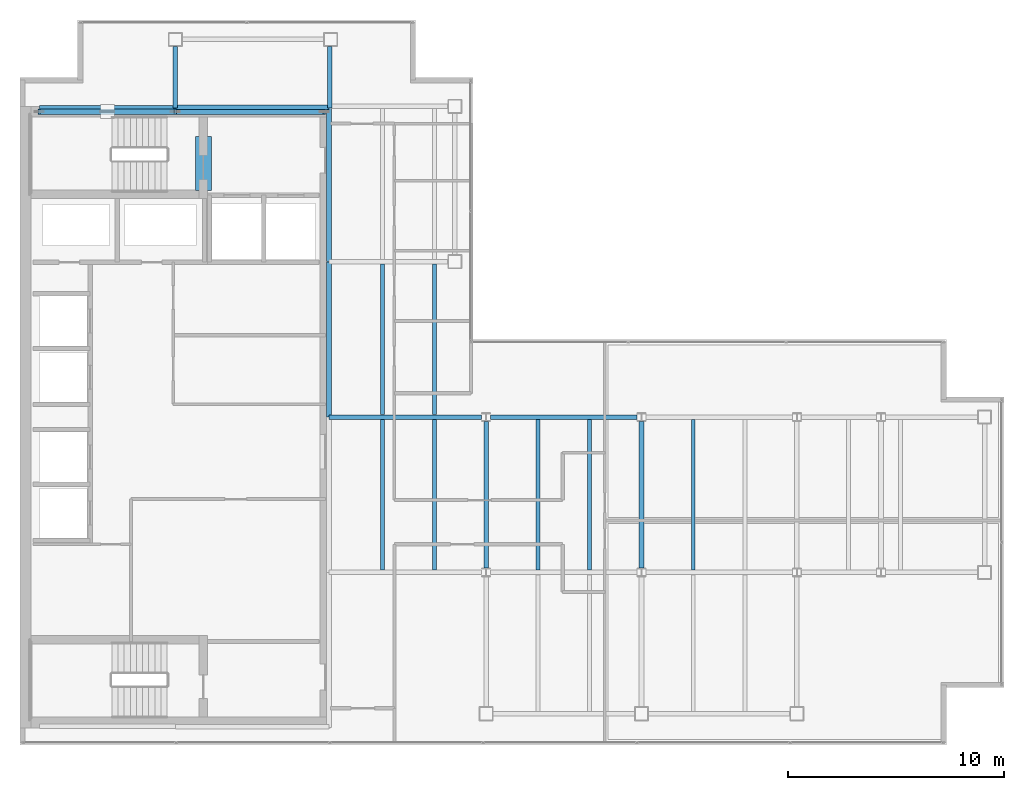
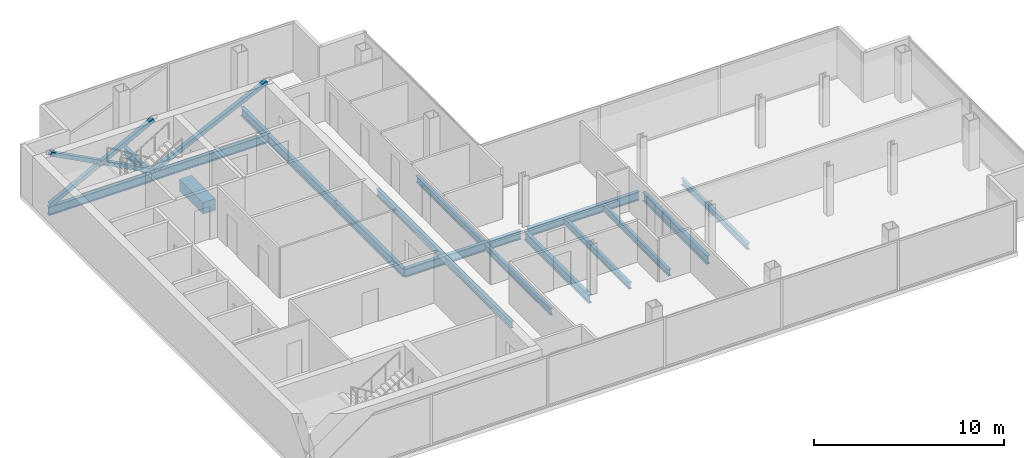
# One storey, part 7 of 23: 18 beams, 4 members.
"""IFC4 building model written with IfcOpenShell, lengths in metres."""

from ifc_helpers import new_model, si_unit, direction, frame, origin, origin_2d, place, context, subcontext, project, spatial, rectangle, hollow_rectangle, i_section, extrude, material, material_profile, profile_set, type_object, element, save


model = new_model("IFC4")

# Units and contexts
model_context = context("Model", 3, precision=1e-05, world=origin(), true_north=direction((0.0, 1.0)))
body_context = subcontext(model_context, "Body", "Model", "MODEL_VIEW")
ifc_project = project(units=[si_unit("LENGTHUNIT", "METRE"), si_unit("AREAUNIT", "SQUARE_METRE"), si_unit("VOLUMEUNIT", "CUBIC_METRE"), si_unit("PLANEANGLEUNIT", "RADIAN"), si_unit("MASSUNIT", "GRAM", prefix="KILO")], contexts=[model_context])

# Site, building, storey
site_placement = place(None, origin())
site = spatial("IfcSite", under=ifc_project, at=site_placement, CompositionType="ELEMENT")
building_placement = place(site_placement, origin())
building = spatial("IfcBuilding", under=site, at=building_placement, Name="Cobrela Telecom Tower", CompositionType="ELEMENT")
storey_placement = place(building_placement, frame((0.0, 0.0, 279.64990234375)))
storey = spatial("IfcBuildingStorey", under=building, at=storey_placement, Name="L73", CompositionType="ELEMENT", Elevation=279.64990234375)

# Beams
ifc_material_1 = material(Name="Concrete C40/50", Category="concrete")
ifc_material_profile_1 = material_profile(ifc_material_1, rectangle(XDim=0.75, YDim=0.75, at=origin_2d()), Name="RC 750x750")
ifc_profile_set_1 = profile_set([ifc_material_profile_1], Name="Concrete C40/50")
beam_type_1 = type_object("IfcBeamType", Name="BM-COUP-RC", PredefinedType="LINTEL", material=ifc_profile_set_1)
beam_1_placement = place(storey_placement, frame((8.5, 32.10009765625, -0.60986328125), z_axis=(0.0, 1.0, 0.0), x_axis=(-1.0, 0.0, 0.0)))
element("IfcBeam", 1, at=beam_1_placement, inside=storey, type_object=beam_type_1, Name="L73 Core Coupling Lintel Beam", PredefinedType="LINTEL", context=body_context, shape_type="SweptSolid", body=[
    extrude(rectangle(XDim=0.75, YDim=0.75, at=origin_2d()), origin(), (0.0, 0.0, 1.0), 2.5),
])
ifc_material_2 = material(Name="Steel ASTM A992 Grade 50", Category="steel")
ifc_material_profile_2 = material_profile(ifc_material_2, i_section(OverallWidth=0.212890625, OverallDepth=0.549072265625, WebThickness=0.0146484375, FlangeThickness=0.023681640625, FilletRadius=0.013916015625, at=origin_2d()), Name="W21X93")
ifc_profile_set_2 = profile_set([ifc_material_profile_2], Name="Steel ASTM A992 Grade 50")
beam_type_2 = type_object("IfcBeamType", Name="BM-GIRD-08", PredefinedType="USERDEFINED", material=ifc_profile_set_2)
beam_2_placement = place(storey_placement, frame((14.324951171875, 21.60009765625, -0.534423828125), z_axis=(1.0, 0.0, 0.0), x_axis=(0.0, 1.0, 0.0)))
element("IfcBeam", 2, at=beam_2_placement, inside=storey, type_object=beam_type_2, Name="L73 Primary Girder X10", ObjectType="GIRDER", PredefinedType="USERDEFINED", context=body_context, shape_type="SweptSolid", body=[
    extrude(i_section(OverallWidth=0.212890625, OverallDepth=0.549072265625, WebThickness=0.0146484375, FlangeThickness=0.023681640625, FilletRadius=0.013916015625, at=origin_2d()), origin(), (0.0, 0.0, 1.0), 7.070556640625),
])
beam_3_placement = place(storey_placement, frame((21.804443359375, 21.60009765625, -0.534423828125), z_axis=(1.0, 0.0, 0.0), x_axis=(0.0, 1.0, 0.0)))
element("IfcBeam", 3, at=beam_3_placement, inside=storey, type_object=beam_type_2, Name="L73 Primary Girder X11", ObjectType="GIRDER", PredefinedType="USERDEFINED", context=body_context, shape_type="SweptSolid", body=[
    extrude(i_section(OverallWidth=0.212890625, OverallDepth=0.549072265625, WebThickness=0.0146484375, FlangeThickness=0.023681640625, FilletRadius=0.013916015625, at=origin_2d()), origin(), (0.0, 0.0, 1.0), 6.791015625),
])
beam_4_placement = place(storey_placement, frame((0.905029296875, 35.919921875, -0.534423828125), z_axis=(1.0, 0.0, 0.0), x_axis=(0.0, 1.0, 0.0)))
element("IfcBeam", 4, at=beam_4_placement, inside=storey, type_object=beam_type_2, Name="L73 Primary Girder X16", ObjectType="GIRDER", PredefinedType="USERDEFINED", context=body_context, shape_type="SweptSolid", body=[
    extrude(i_section(OverallWidth=0.212890625, OverallDepth=0.549072265625, WebThickness=0.0146484375, FlangeThickness=0.023681640625, FilletRadius=0.013916015625, at=origin_2d()), origin(), (0.0, 0.0, 1.0), 6.2900390625),
])
beam_5_placement = place(storey_placement, frame((7.205078125, 35.9599609375, -0.534423828125), z_axis=(1.0, 0.0, 0.0), x_axis=(0.0, 1.0, 0.0)))
element("IfcBeam", 5, at=beam_5_placement, inside=storey, type_object=beam_type_2, Name="L73 Primary Girder X17", ObjectType="GIRDER", PredefinedType="USERDEFINED", context=body_context, shape_type="SweptSolid", body=[
    extrude(i_section(OverallWidth=0.212890625, OverallDepth=0.549072265625, WebThickness=0.0146484375, FlangeThickness=0.023681640625, FilletRadius=0.013916015625, at=origin_2d()), origin(), (0.0, 0.0, 1.0), 7.10986328125),
])
beam_6_placement = place(storey_placement, frame((7.199951171875, 35.925048828125, -0.534423828125), z_axis=(0.0, 1.0, 0.0), x_axis=(-1.0, 0.0, 0.0)))
element("IfcBeam", 6, at=beam_6_placement, inside=storey, type_object=beam_type_2, Name="L73 Primary Girder Y20", ObjectType="GIRDER", PredefinedType="USERDEFINED", context=body_context, shape_type="SweptSolid", body=[
    extrude(i_section(OverallWidth=0.212890625, OverallDepth=0.549072265625, WebThickness=0.0146484375, FlangeThickness=0.023681640625, FilletRadius=0.013916015625, at=origin_2d()), origin(), (0.0, 0.0, 1.0), 2.844970703125),
])
beam_7_placement = place(storey_placement, frame((14.320068359375, 21.60498046875, -0.534423828125), z_axis=(0.0, 1.0, 0.0), x_axis=(-1.0, 0.0, 0.0)))
element("IfcBeam", 7, at=beam_7_placement, inside=storey, type_object=beam_type_2, Name="L73 Primary Girder Y23", ObjectType="GIRDER", PredefinedType="USERDEFINED", context=body_context, shape_type="SweptSolid", body=[
    extrude(i_section(OverallWidth=0.212890625, OverallDepth=0.549072265625, WebThickness=0.0146484375, FlangeThickness=0.023681640625, FilletRadius=0.013916015625, at=origin_2d()), origin(), (0.0, 0.0, 1.0), 7.18994140625),
])
beam_8_placement = place(storey_placement, frame((14.320068359375, 28.804931640625, -0.534423828125), z_axis=(0.0, 1.0, 0.0), x_axis=(-1.0, 0.0, 0.0)))
element("IfcBeam", 8, at=beam_8_placement, inside=storey, type_object=beam_type_2, Name="L73 Primary Girder Y24", ObjectType="GIRDER", PredefinedType="USERDEFINED", context=body_context, shape_type="SweptSolid", body=[
    extrude(i_section(OverallWidth=0.212890625, OverallDepth=0.549072265625, WebThickness=0.0146484375, FlangeThickness=0.023681640625, FilletRadius=0.013916015625, at=origin_2d()), origin(), (0.0, 0.0, 1.0), 7.110107421875),
])
beam_9_placement = place(storey_placement, frame((14.360107421875, 35.925048828125, -0.534423828125), z_axis=(0.0, 1.0, 0.0), x_axis=(-1.0, 0.0, 0.0)))
element("IfcBeam", 9, at=beam_9_placement, inside=storey, type_object=beam_type_2, Name="L73 Primary Girder Y25", ObjectType="GIRDER", PredefinedType="USERDEFINED", context=body_context, shape_type="SweptSolid", body=[
    extrude(i_section(OverallWidth=0.212890625, OverallDepth=0.549072265625, WebThickness=0.0146484375, FlangeThickness=0.023681640625, FilletRadius=0.013916015625, at=origin_2d()), origin(), (0.0, 0.0, 1.0), 2.844970703125),
])
for number, where, z_axis, x_axis, name in (
    (10, (21.60009765625, 14.6044921875, -0.534423828125), (0.0, 1.0, 0.0), (-1.0, 0.0, 0.0), "L73 Primary Girder Y28"),
    (11, (28.800048828125, 14.6044921875, -0.534423828125), (0.0, 1.0, 0.0), (-1.0, 0.0, 0.0), "L73 Primary Girder Y30"),
):
    element("IfcBeam", number, at=place(storey_placement, frame(where, z_axis=z_axis, x_axis=x_axis)), inside=storey, type_object=beam_type_2, Name=name, ObjectType="GIRDER", PredefinedType="USERDEFINED", context=body_context, shape_type="SweptSolid", body=[
        extrude(i_section(OverallWidth=0.212890625, OverallDepth=0.549072265625, WebThickness=0.0146484375, FlangeThickness=0.023681640625, FilletRadius=0.013916015625, at=origin_2d()), origin(), (0.0, 0.0, 1.0), 6.791015625),
    ])
ifc_material_profile_3 = material_profile(ifc_material_2, i_section(OverallWidth=0.179931640625, OverallDepth=0.4169921875, WebThickness=0.010986328125, FlangeThickness=0.01806640625, FilletRadius=0.011962890625, at=origin_2d()), Name="W16X57")
ifc_profile_set_3 = profile_set([ifc_material_profile_3], Name="Steel ASTM A992 Grade 50")
beam_type_3 = type_object("IfcBeamType", Name="BM-JOIST-04", PredefinedType="JOIST", material=ifc_profile_set_3)
for number, where, z_axis, x_axis, name in (
    (12, (16.800048828125, 14.511474609375, -0.468505859375), (0.0, 1.0, 0.0), (-1.0, 0.0, 0.0), "L73 Secondary Composite Floor Beam J01"),
    (13, (16.800048828125, 21.71142578125, -0.468505859375), (0.0, 1.0, 0.0), (-1.0, 0.0, 0.0), "L73 Secondary Composite Floor Beam J02"),
    (14, (19.199951171875, 14.511474609375, -0.468505859375), (0.0, 1.0, 0.0), (-1.0, 0.0, 0.0), "L73 Secondary Composite Floor Beam J04"),
    (15, (19.199951171875, 21.71142578125, -0.468505859375), (0.0, 1.0, 0.0), (-1.0, 0.0, 0.0), "L73 Secondary Composite Floor Beam J05"),
    (16, (24.0, 14.511474609375, -0.468505859375), (0.0, 1.0, 0.0), (-1.0, 0.0, 0.0), "L73 Secondary Composite Floor Beam J08"),
    (17, (26.39990234375, 14.511474609375, -0.468505859375), (0.0, 1.0, 0.0), (-1.0, 0.0, 0.0), "L73 Secondary Composite Floor Beam J10"),
    (18, (31.199951171875, 14.511474609375, -0.468505859375), (0.0, 1.0, 0.0), (-1.0, 0.0, 0.0), "L73 Secondary Composite Floor Beam J12"),
):
    element("IfcBeam", number, at=place(storey_placement, frame(where, z_axis=z_axis, x_axis=x_axis)), inside=storey, type_object=beam_type_3, Name=name, PredefinedType="JOIST", context=body_context, shape_type="SweptSolid", body=[
        extrude(i_section(OverallWidth=0.179931640625, OverallDepth=0.4169921875, WebThickness=0.010986328125, FlangeThickness=0.01806640625, FilletRadius=0.011962890625, at=origin_2d()), origin(), (0.0, 0.0, 1.0), 6.97705078125),
    ])

# Members
ifc_material_3 = material(Name="Steel ASTM A572 Grade 50", Category="steel")
ifc_material_profile_4 = material_profile(ifc_material_3, hollow_rectangle(XDim=0.25, YDim=0.25, WallThickness=0.013916015625, at=origin_2d()), Name="HSS 250x250x14")
ifc_profile_set_4 = profile_set([ifc_material_profile_4], Name="Steel ASTM A572 Grade 50")
member_type = type_object("IfcMemberType", Name="MBR-EXO-04", PredefinedType="BRACE", material=ifc_profile_set_4)
member_1_placement = place(storey_placement, frame((0.89990234375, 35.75, -0.039794921875), z_axis=(0.884686085315, 0.0, 0.466187226821), x_axis=(0.0, 1.0, 0.0)))
element("IfcMember", 19, at=member_1_placement, inside=storey, type_object=member_type, Name="L73 Core Flange Steel X-Brace Continuous A", PredefinedType="BRACE", context=body_context, shape_type="SweptSolid", body=[
    extrude(hollow_rectangle(XDim=0.25, YDim=0.25, WallThickness=0.013916015625, at=origin_2d()), origin(), (0.0, 0.0, 1.0), 7.121337890625),
])
member_2_placement = place(storey_placement, frame((7.199951171875, 35.75, -0.039794921875), z_axis=(-0.884702916743, 0.0, 0.466155284328), x_axis=(0.0, -1.0, 0.0)))
element("IfcMember", 20, at=member_2_placement, inside=storey, type_object=member_type, Name="L73 Core Flange Steel X-Brace Split B1", PredefinedType="BRACE", context=body_context, shape_type="SweptSolid", body=[
    extrude(hollow_rectangle(XDim=0.25, YDim=0.25, WallThickness=0.013916015625, at=origin_2d()), origin(), (0.0, 0.0, 1.0), 3.42041015625),
])
member_3_placement = place(storey_placement, frame((3.926025390625, 35.75, 1.685302734375), z_axis=(-0.884673479945, 0.0, 0.466211147317), x_axis=(0.0, -1.0, 0.0)))
element("IfcMember", 21, at=member_3_placement, inside=storey, type_object=member_type, Name="L73 Core Flange Steel X-Brace Split B2", PredefinedType="BRACE", context=body_context, shape_type="SweptSolid", body=[
    extrude(hollow_rectangle(XDim=0.25, YDim=0.25, WallThickness=0.013916015625, at=origin_2d()), origin(), (0.0, 0.0, 1.0), 3.420654296875),
])
member_4_placement = place(storey_placement, frame((7.199951171875, 35.75, -0.039794921875), z_axis=(0.901127639633, 0.0, 0.433553891793), x_axis=(0.0, 1.0, 0.0)))
element("IfcMember", 22, at=member_4_placement, inside=storey, type_object=member_type, Name="L73 Core Flange Steel Brace N2", PredefinedType="BRACE", context=body_context, shape_type="SweptSolid", body=[
    extrude(hollow_rectangle(XDim=0.25, YDim=0.25, WallThickness=0.013916015625, at=origin_2d()), origin(), (0.0, 0.0, 1.0), 7.6572265625),
])

save(model, "model.ifc")
